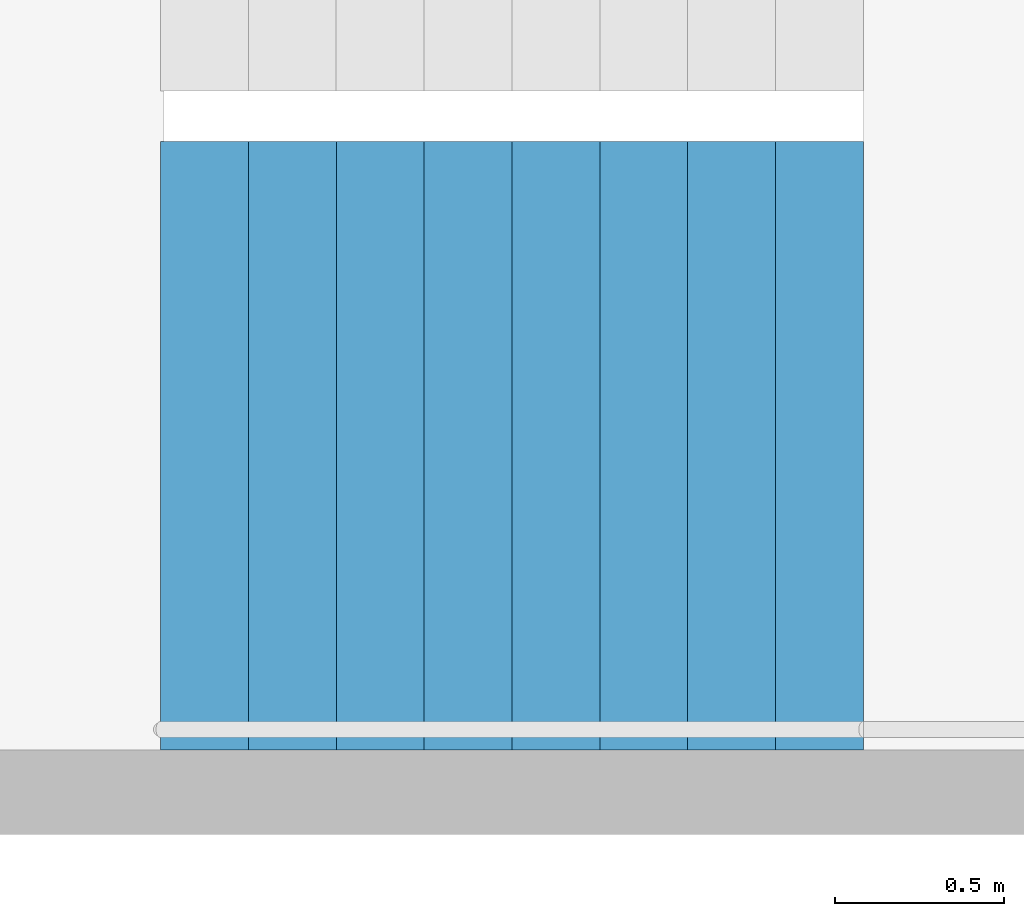
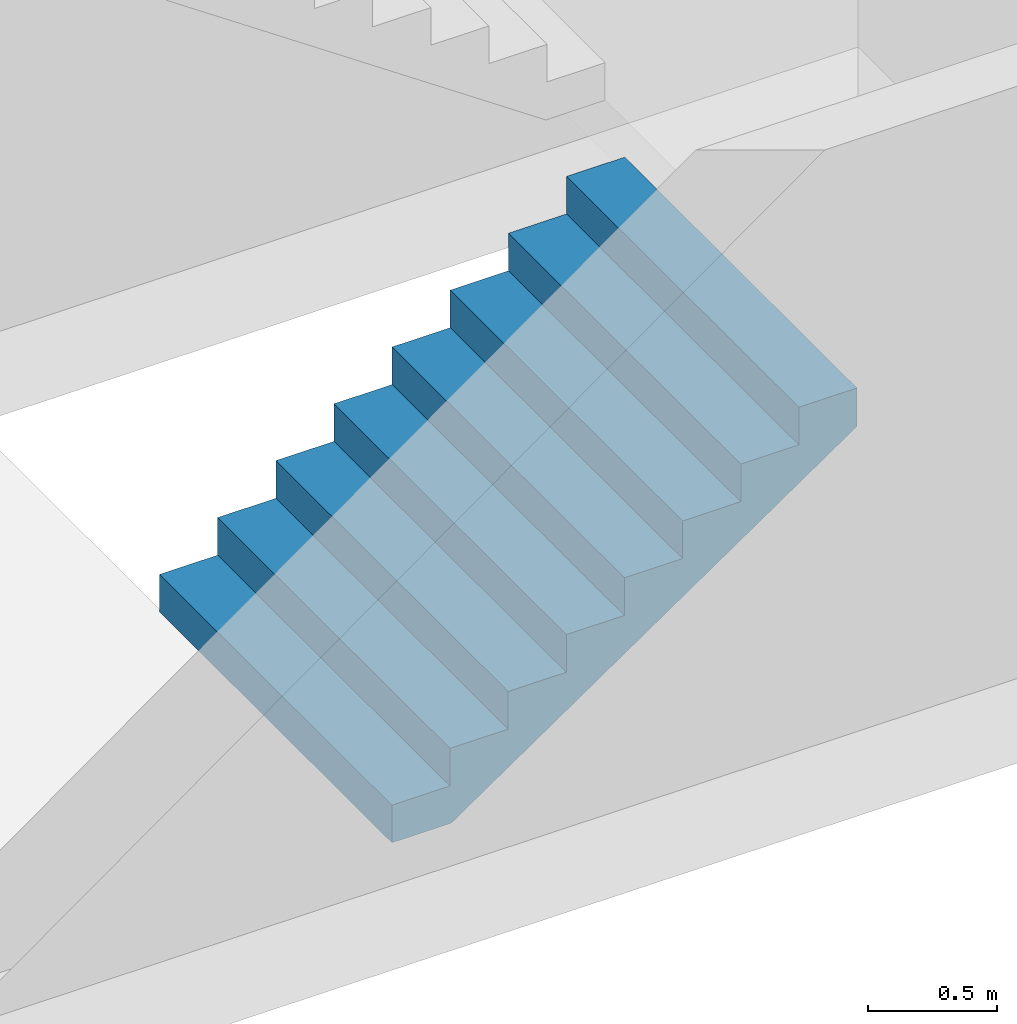
# One storey, part 22 of 35: 1 stair flight, 1 element without a shape of its own.
"""IFC4 building model written with IfcOpenShell, lengths in metres."""

from ifc_helpers import new_model, si_unit, direction, frame, origin, place, context, subcontext, project, spatial, triangles, material, type_object, element, aggregate, save


model = new_model("IFC4")

# Units and contexts
model_context = context("Model", 3, precision=1e-05, world=origin(), true_north=direction((0.0, 1.0)))
body_context = subcontext(model_context, "Body", "Model", "MODEL_VIEW")
ifc_project = project(units=[si_unit("LENGTHUNIT", "METRE"), si_unit("AREAUNIT", "SQUARE_METRE"), si_unit("VOLUMEUNIT", "CUBIC_METRE"), si_unit("PLANEANGLEUNIT", "RADIAN"), si_unit("MASSUNIT", "GRAM", prefix="KILO")], contexts=[model_context])

# Site, building, storey
site_placement = place(None, origin())
site = spatial("IfcSite", under=ifc_project, at=site_placement, CompositionType="ELEMENT")
building_placement = place(site_placement, origin())
building = spatial("IfcBuilding", under=site, at=building_placement, Name="Hakoniwa Tower and Hamabe Station Hall", CompositionType="ELEMENT")
storey_placement = place(building_placement, frame((0.0, 0.0, 51.800048828125)))
storey = spatial("IfcBuildingStorey", under=building, at=storey_placement, Name="L14", CompositionType="ELEMENT", Elevation=51.800048828125)

# Stair, stair flight
ifc_material_1 = material(Name="Concrete C40", Category="concrete")
stair_type = type_object("IfcStairType", Name="ESCAPE STAIR 1800", PredefinedType="HALF_TURN_STAIR", material=ifc_material_1)
stair_placement = place(storey_placement, origin())
stair = element("IfcStair", 1, at=stair_placement, inside=storey, type_object=stair_type, Name="Escape stair ST-1 L14", PredefinedType="HALF_TURN_STAIR")
ifc_material_2 = material(Name="Concrete C40", Category="concrete")
stair_flight_type = type_object("IfcStairFlightType", Name="STAIR FLIGHT 1800", PredefinedType="STRAIGHT", material=ifc_material_2)
stair_flight_placement = place(storey_placement, frame((-24.39990234375, 4.64990234375, 0.0), z_axis=(0.0, 0.0, 1.0), x_axis=(1.0, 0.0, 0.0)))
stair_flight = element("IfcStairFlight", 2, at=stair_flight_placement, type_object=stair_flight_type, Name="ST-1 flight 1", NumberOfRisers=9, NumberOfTreads=8, PredefinedType="STRAIGHT", RiserHeight=0.177777778, TreadLength=0.26, context=body_context, shape_type="Tessellation", body=[
    triangles([(0.0, 0.89990234375, 0.0), (0.260009765625, 0.89990234375, 0.0), (0.265625, 0.89990234375, 0.0), (0.52001953125, 0.89990234375, 0.174072265625), (0.780029296875, 0.89990234375, 0.351806640625), (1.0400390625, 0.89990234375, 0.529541015625), (1.300048828125, 0.89990234375, 0.707275390625), (1.56005859375, 0.89990234375, 0.885009765625), (1.820068359375, 0.89990234375, 1.062744140625), (2.080078125, 0.89990234375, 1.24072265625), (2.080078125, 0.89990234375, 1.422119140625), (1.820068359375, 0.89990234375, 1.422119140625), (1.820068359375, 0.89990234375, 1.244384765625), (1.56005859375, 0.89990234375, 1.244384765625), (1.56005859375, 0.89990234375, 1.066650390625), (1.300048828125, 0.89990234375, 1.066650390625), (1.300048828125, 0.89990234375, 0.888916015625), (1.0400390625, 0.89990234375, 0.888916015625), (1.0400390625, 0.89990234375, 0.711181640625), (0.780029296875, 0.89990234375, 0.711181640625), (0.780029296875, 0.89990234375, 0.533447265625), (0.52001953125, 0.89990234375, 0.533447265625), (0.52001953125, 0.89990234375, 0.35546875), (0.265625, 0.89990234375, 0.35546875), (0.260009765625, 0.89990234375, 0.35546875), (0.260009765625, 0.89990234375, 0.177734375), (0.0, 0.89990234375, 0.177734375), (0.0, 0.06005859375, 0.0), (0.260009765625, 0.06005859375, 0.0), (0.265625, 0.06005859375, 0.0), (0.52001953125, 0.06005859375, 0.174072265625), (0.780029296875, 0.06005859375, 0.351806640625), (1.0400390625, 0.06005859375, 0.529541015625), (1.300048828125, 0.06005859375, 0.707275390625), (1.56005859375, 0.06005859375, 0.885009765625), (1.820068359375, 0.06005859375, 1.062744140625), (2.080078125, 0.06005859375, 1.24072265625), (2.080078125, 0.06005859375, 1.422119140625), (1.820068359375, 0.06005859375, 1.422119140625), (1.820068359375, 0.06005859375, 1.244384765625), (1.56005859375, 0.06005859375, 1.244384765625), (1.56005859375, 0.06005859375, 1.066650390625), (1.300048828125, 0.06005859375, 1.066650390625), (1.300048828125, 0.06005859375, 0.888916015625), (1.0400390625, 0.06005859375, 0.888916015625), (1.0400390625, 0.06005859375, 0.711181640625), (0.780029296875, 0.06005859375, 0.711181640625), (0.780029296875, 0.06005859375, 0.533447265625), (0.52001953125, 0.06005859375, 0.533447265625), (0.52001953125, 0.06005859375, 0.35546875), (0.265625, 0.06005859375, 0.35546875), (0.260009765625, 0.06005859375, 0.35546875), (0.260009765625, 0.06005859375, 0.177734375), (0.0, 0.06005859375, 0.177734375), (0.0, 0.04296875, 0.0), (0.260009765625, 0.04296875, 0.0), (0.265625, 0.04296875, 0.0), (0.52001953125, 0.04296875, 0.174072265625), (0.780029296875, 0.04296875, 0.351806640625), (1.0400390625, 0.04296875, 0.529541015625), (1.300048828125, 0.04296875, 0.707275390625), (1.56005859375, 0.04296875, 0.885009765625), (1.820068359375, 0.04296875, 1.062744140625), (2.080078125, 0.04296875, 1.24072265625), (2.080078125, 0.04296875, 1.422119140625), (1.820068359375, 0.04296875, 1.422119140625), (1.820068359375, 0.04296875, 1.244384765625), (1.56005859375, 0.04296875, 1.244384765625), (1.56005859375, 0.04296875, 1.066650390625), (1.300048828125, 0.04296875, 1.066650390625), (1.300048828125, 0.04296875, 0.888916015625), (1.0400390625, 0.04296875, 0.888916015625), (1.0400390625, 0.04296875, 0.711181640625), (0.780029296875, 0.04296875, 0.711181640625), (0.780029296875, 0.04296875, 0.533447265625), (0.52001953125, 0.04296875, 0.533447265625), (0.52001953125, 0.04296875, 0.35546875), (0.265625, 0.04296875, 0.35546875), (0.260009765625, 0.04296875, 0.35546875), (0.260009765625, 0.04296875, 0.177734375), (0.0, 0.04296875, 0.177734375), (0.0, 0.025634765625, 0.0), (0.260009765625, 0.025634765625, 0.0), (0.265625, 0.025634765625, 0.0), (0.52001953125, 0.025634765625, 0.174072265625), (0.780029296875, 0.025634765625, 0.351806640625), (1.0400390625, 0.025634765625, 0.529541015625), (1.300048828125, 0.025634765625, 0.707275390625), (1.56005859375, 0.025634765625, 0.885009765625), (1.820068359375, 0.025634765625, 1.062744140625), (2.080078125, 0.025634765625, 1.24072265625), (2.080078125, 0.025634765625, 1.422119140625), (1.820068359375, 0.025634765625, 1.422119140625), (1.820068359375, 0.025634765625, 1.244384765625), (1.56005859375, 0.025634765625, 1.244384765625), (1.56005859375, 0.025634765625, 1.066650390625), (1.300048828125, 0.025634765625, 1.066650390625), (1.300048828125, 0.025634765625, 0.888916015625), (1.0400390625, 0.025634765625, 0.888916015625), (1.0400390625, 0.025634765625, 0.711181640625), (0.780029296875, 0.025634765625, 0.711181640625), (0.780029296875, 0.025634765625, 0.533447265625), (0.52001953125, 0.025634765625, 0.533447265625), (0.52001953125, 0.025634765625, 0.35546875), (0.265625, 0.025634765625, 0.35546875), (0.260009765625, 0.025634765625, 0.35546875), (0.260009765625, 0.025634765625, 0.177734375), (0.0, 0.025634765625, 0.177734375), (0.0, 0.008544921875, 0.0), (0.260009765625, 0.008544921875, 0.0), (0.265625, 0.008544921875, 0.0), (0.52001953125, 0.008544921875, 0.174072265625), (0.780029296875, 0.008544921875, 0.351806640625), (1.0400390625, 0.008544921875, 0.529541015625), (1.300048828125, 0.008544921875, 0.707275390625), (1.56005859375, 0.008544921875, 0.885009765625), (1.820068359375, 0.008544921875, 1.062744140625), (2.080078125, 0.008544921875, 1.24072265625), (2.080078125, 0.008544921875, 1.422119140625), (1.820068359375, 0.008544921875, 1.422119140625), (1.820068359375, 0.008544921875, 1.244384765625), (1.56005859375, 0.008544921875, 1.244384765625), (1.56005859375, 0.008544921875, 1.066650390625), (1.300048828125, 0.008544921875, 1.066650390625), (1.300048828125, 0.008544921875, 0.888916015625), (1.0400390625, 0.008544921875, 0.888916015625), (1.0400390625, 0.008544921875, 0.711181640625), (0.780029296875, 0.008544921875, 0.711181640625), (0.780029296875, 0.008544921875, 0.533447265625), (0.52001953125, 0.008544921875, 0.533447265625), (0.52001953125, 0.008544921875, 0.35546875), (0.265625, 0.008544921875, 0.35546875), (0.260009765625, 0.008544921875, 0.35546875), (0.260009765625, 0.008544921875, 0.177734375), (0.0, 0.008544921875, 0.177734375), (0.0, -0.008544921875, 0.0), (0.260009765625, -0.008544921875, 0.0), (0.265625, -0.008544921875, 0.0), (0.52001953125, -0.008544921875, 0.174072265625), (0.780029296875, -0.008544921875, 0.351806640625), (1.0400390625, -0.008544921875, 0.529541015625), (1.300048828125, -0.008544921875, 0.707275390625), (1.56005859375, -0.008544921875, 0.885009765625), (1.820068359375, -0.008544921875, 1.062744140625), (2.080078125, -0.008544921875, 1.24072265625), (2.080078125, -0.008544921875, 1.422119140625), (1.820068359375, -0.008544921875, 1.422119140625), (1.820068359375, -0.008544921875, 1.244384765625), (1.56005859375, -0.008544921875, 1.244384765625), (1.56005859375, -0.008544921875, 1.066650390625), (1.300048828125, -0.008544921875, 1.066650390625), (1.300048828125, -0.008544921875, 0.888916015625), (1.0400390625, -0.008544921875, 0.888916015625), (1.0400390625, -0.008544921875, 0.711181640625), (0.780029296875, -0.008544921875, 0.711181640625), (0.780029296875, -0.008544921875, 0.533447265625), (0.52001953125, -0.008544921875, 0.533447265625), (0.52001953125, -0.008544921875, 0.35546875), (0.265625, -0.008544921875, 0.35546875), (0.260009765625, -0.008544921875, 0.35546875), (0.260009765625, -0.008544921875, 0.177734375), (0.0, -0.008544921875, 0.177734375), (0.0, -0.025634765625, 0.0), (0.260009765625, -0.025634765625, 0.0), (0.265625, -0.025634765625, 0.0), (0.52001953125, -0.025634765625, 0.174072265625), (0.780029296875, -0.025634765625, 0.351806640625), (1.0400390625, -0.025634765625, 0.529541015625), (1.300048828125, -0.025634765625, 0.707275390625), (1.56005859375, -0.025634765625, 0.885009765625), (1.820068359375, -0.025634765625, 1.062744140625), (2.080078125, -0.025634765625, 1.24072265625), (2.080078125, -0.025634765625, 1.422119140625), (1.820068359375, -0.025634765625, 1.422119140625), (1.820068359375, -0.025634765625, 1.244384765625), (1.56005859375, -0.025634765625, 1.244384765625), (1.56005859375, -0.025634765625, 1.066650390625), (1.300048828125, -0.025634765625, 1.066650390625), (1.300048828125, -0.025634765625, 0.888916015625), (1.0400390625, -0.025634765625, 0.888916015625), (1.0400390625, -0.025634765625, 0.711181640625), (0.780029296875, -0.025634765625, 0.711181640625), (0.780029296875, -0.025634765625, 0.533447265625), (0.52001953125, -0.025634765625, 0.533447265625), (0.52001953125, -0.025634765625, 0.35546875), (0.265625, -0.025634765625, 0.35546875), (0.260009765625, -0.025634765625, 0.35546875), (0.260009765625, -0.025634765625, 0.177734375), (0.0, -0.025634765625, 0.177734375), (0.0, -0.04296875, 0.0), (0.260009765625, -0.04296875, 0.0), (0.265625, -0.04296875, 0.0), (0.52001953125, -0.04296875, 0.174072265625), (0.780029296875, -0.04296875, 0.351806640625), (1.0400390625, -0.04296875, 0.529541015625), (1.300048828125, -0.04296875, 0.707275390625), (1.56005859375, -0.04296875, 0.885009765625), (1.820068359375, -0.04296875, 1.062744140625), (2.080078125, -0.04296875, 1.24072265625), (2.080078125, -0.04296875, 1.422119140625), (1.820068359375, -0.04296875, 1.422119140625), (1.820068359375, -0.04296875, 1.244384765625), (1.56005859375, -0.04296875, 1.244384765625), (1.56005859375, -0.04296875, 1.066650390625), (1.300048828125, -0.04296875, 1.066650390625), (1.300048828125, -0.04296875, 0.888916015625), (1.0400390625, -0.04296875, 0.888916015625), (1.0400390625, -0.04296875, 0.711181640625), (0.780029296875, -0.04296875, 0.711181640625), (0.780029296875, -0.04296875, 0.533447265625), (0.52001953125, -0.04296875, 0.533447265625), (0.52001953125, -0.04296875, 0.35546875), (0.265625, -0.04296875, 0.35546875), (0.260009765625, -0.04296875, 0.35546875), (0.260009765625, -0.04296875, 0.177734375), (0.0, -0.04296875, 0.177734375), (0.0, -0.06005859375, 0.0), (0.260009765625, -0.06005859375, 0.0), (0.265625, -0.06005859375, 0.0), (0.52001953125, -0.06005859375, 0.174072265625), (0.780029296875, -0.06005859375, 0.351806640625), (1.0400390625, -0.06005859375, 0.529541015625), (1.300048828125, -0.06005859375, 0.707275390625), (1.56005859375, -0.06005859375, 0.885009765625), (1.820068359375, -0.06005859375, 1.062744140625), (2.080078125, -0.06005859375, 1.24072265625), (2.080078125, -0.06005859375, 1.422119140625), (1.820068359375, -0.06005859375, 1.422119140625), (1.820068359375, -0.06005859375, 1.244384765625), (1.56005859375, -0.06005859375, 1.244384765625), (1.56005859375, -0.06005859375, 1.066650390625), (1.300048828125, -0.06005859375, 1.066650390625), (1.300048828125, -0.06005859375, 0.888916015625), (1.0400390625, -0.06005859375, 0.888916015625), (1.0400390625, -0.06005859375, 0.711181640625), (0.780029296875, -0.06005859375, 0.711181640625), (0.780029296875, -0.06005859375, 0.533447265625), (0.52001953125, -0.06005859375, 0.533447265625), (0.52001953125, -0.06005859375, 0.35546875), (0.265625, -0.06005859375, 0.35546875), (0.260009765625, -0.06005859375, 0.35546875), (0.260009765625, -0.06005859375, 0.177734375), (0.0, -0.06005859375, 0.177734375), (0.0, -0.89990234375, 0.0), (0.260009765625, -0.89990234375, 0.0), (0.265625, -0.89990234375, 0.0), (0.52001953125, -0.89990234375, 0.174072265625), (0.780029296875, -0.89990234375, 0.351806640625), (1.0400390625, -0.89990234375, 0.529541015625), (1.300048828125, -0.89990234375, 0.707275390625), (1.56005859375, -0.89990234375, 0.885009765625), (1.820068359375, -0.89990234375, 1.062744140625), (2.080078125, -0.89990234375, 1.24072265625), (2.080078125, -0.89990234375, 1.422119140625), (1.820068359375, -0.89990234375, 1.422119140625), (1.820068359375, -0.89990234375, 1.244384765625), (1.56005859375, -0.89990234375, 1.244384765625), (1.56005859375, -0.89990234375, 1.066650390625), (1.300048828125, -0.89990234375, 1.066650390625), (1.300048828125, -0.89990234375, 0.888916015625), (1.0400390625, -0.89990234375, 0.888916015625), (1.0400390625, -0.89990234375, 0.711181640625), (0.780029296875, -0.89990234375, 0.711181640625), (0.780029296875, -0.89990234375, 0.533447265625), (0.52001953125, -0.89990234375, 0.533447265625), (0.52001953125, -0.89990234375, 0.35546875), (0.265625, -0.89990234375, 0.35546875), (0.260009765625, -0.89990234375, 0.35546875), (0.260009765625, -0.89990234375, 0.177734375), (0.0, -0.89990234375, 0.177734375)], [[2, 27, 26], [245, 269, 270], [2, 1, 27], [245, 270, 244], [3, 25, 24], [246, 267, 268], [3, 26, 25], [246, 268, 269], [3, 2, 26], [246, 269, 245], [4, 24, 23], [247, 266, 267], [4, 3, 24], [247, 267, 246], [5, 22, 21], [248, 264, 265], [5, 23, 22], [248, 265, 266], [5, 4, 23], [248, 266, 247], [6, 20, 19], [249, 262, 263], [6, 21, 20], [249, 263, 264], [6, 5, 21], [249, 264, 248], [7, 18, 17], [250, 260, 261], [7, 19, 18], [250, 261, 262], [7, 6, 19], [250, 262, 249], [8, 16, 15], [251, 258, 259], [8, 17, 16], [251, 259, 260], [8, 7, 17], [251, 260, 250], [9, 14, 13], [252, 256, 257], [9, 15, 14], [252, 257, 258], [9, 8, 15], [252, 258, 251], [10, 12, 11], [253, 254, 255], [10, 13, 12], [253, 255, 256], [10, 9, 13], [253, 256, 252], [1, 2, 29], [1, 29, 28], [28, 29, 56], [28, 56, 55], [55, 56, 83], [55, 83, 82], [82, 83, 110], [82, 110, 109], [109, 110, 137], [109, 137, 136], [136, 137, 164], [136, 164, 163], [163, 164, 191], [163, 191, 190], [190, 191, 218], [190, 218, 217], [217, 218, 245], [217, 245, 244], [2, 3, 30], [2, 30, 29], [29, 30, 57], [29, 57, 56], [56, 57, 84], [56, 84, 83], [83, 84, 111], [83, 111, 110], [110, 111, 138], [110, 138, 137], [137, 138, 165], [137, 165, 164], [164, 165, 192], [164, 192, 191], [191, 192, 219], [191, 219, 218], [218, 219, 246], [218, 246, 245], [3, 4, 31], [3, 31, 30], [30, 31, 58], [30, 58, 57], [57, 58, 85], [57, 85, 84], [84, 85, 112], [84, 112, 111], [111, 112, 139], [111, 139, 138], [138, 139, 166], [138, 166, 165], [165, 166, 193], [165, 193, 192], [192, 193, 220], [192, 220, 219], [219, 220, 247], [219, 247, 246], [4, 5, 32], [4, 32, 31], [31, 32, 59], [31, 59, 58], [58, 59, 86], [58, 86, 85], [85, 86, 113], [85, 113, 112], [112, 113, 140], [112, 140, 139], [139, 140, 167], [139, 167, 166], [166, 167, 194], [166, 194, 193], [193, 194, 221], [193, 221, 220], [220, 221, 248], [220, 248, 247], [5, 6, 33], [5, 33, 32], [32, 33, 60], [32, 60, 59], [59, 60, 87], [59, 87, 86], [86, 87, 114], [86, 114, 113], [113, 114, 141], [113, 141, 140], [140, 141, 168], [140, 168, 167], [167, 168, 195], [167, 195, 194], [194, 195, 222], [194, 222, 221], [221, 222, 249], [221, 249, 248], [6, 7, 34], [6, 34, 33], [33, 34, 61], [33, 61, 60], [60, 61, 88], [60, 88, 87], [87, 88, 115], [87, 115, 114], [114, 115, 142], [114, 142, 141], [141, 142, 169], [141, 169, 168], [168, 169, 196], [168, 196, 195], [195, 196, 223], [195, 223, 222], [222, 223, 250], [222, 250, 249], [7, 8, 35], [7, 35, 34], [34, 35, 62], [34, 62, 61], [61, 62, 89], [61, 89, 88], [88, 89, 116], [88, 116, 115], [115, 116, 143], [115, 143, 142], [142, 143, 170], [142, 170, 169], [169, 170, 197], [169, 197, 196], [196, 197, 224], [196, 224, 223], [223, 224, 251], [223, 251, 250], [8, 9, 36], [8, 36, 35], [35, 36, 63], [35, 63, 62], [62, 63, 90], [62, 90, 89], [89, 90, 117], [89, 117, 116], [116, 117, 144], [116, 144, 143], [143, 144, 171], [143, 171, 170], [170, 171, 198], [170, 198, 197], [197, 198, 225], [197, 225, 224], [224, 225, 252], [224, 252, 251], [9, 10, 37], [9, 37, 36], [36, 37, 64], [36, 64, 63], [63, 64, 91], [63, 91, 90], [90, 91, 118], [90, 118, 117], [117, 118, 145], [117, 145, 144], [144, 145, 172], [144, 172, 171], [171, 172, 199], [171, 199, 198], [198, 199, 226], [198, 226, 225], [225, 226, 253], [225, 253, 252], [10, 11, 38], [10, 38, 37], [37, 38, 65], [37, 65, 64], [64, 65, 92], [64, 92, 91], [91, 92, 119], [91, 119, 118], [118, 119, 146], [118, 146, 145], [145, 146, 173], [145, 173, 172], [172, 173, 200], [172, 200, 199], [199, 200, 227], [199, 227, 226], [226, 227, 254], [226, 254, 253], [11, 12, 39], [11, 39, 38], [38, 39, 66], [38, 66, 65], [65, 66, 93], [65, 93, 92], [92, 93, 120], [92, 120, 119], [119, 120, 147], [119, 147, 146], [146, 147, 174], [146, 174, 173], [173, 174, 201], [173, 201, 200], [200, 201, 228], [200, 228, 227], [227, 228, 255], [227, 255, 254], [12, 13, 40], [12, 40, 39], [39, 40, 67], [39, 67, 66], [66, 67, 94], [66, 94, 93], [93, 94, 121], [93, 121, 120], [120, 121, 148], [120, 148, 147], [147, 148, 175], [147, 175, 174], [174, 175, 202], [174, 202, 201], [201, 202, 229], [201, 229, 228], [228, 229, 256], [228, 256, 255], [13, 14, 41], [13, 41, 40], [40, 41, 68], [40, 68, 67], [67, 68, 95], [67, 95, 94], [94, 95, 122], [94, 122, 121], [121, 122, 149], [121, 149, 148], [148, 149, 176], [148, 176, 175], [175, 176, 203], [175, 203, 202], [202, 203, 230], [202, 230, 229], [229, 230, 257], [229, 257, 256], [14, 15, 42], [14, 42, 41], [41, 42, 69], [41, 69, 68], [68, 69, 96], [68, 96, 95], [95, 96, 123], [95, 123, 122], [122, 123, 150], [122, 150, 149], [149, 150, 177], [149, 177, 176], [176, 177, 204], [176, 204, 203], [203, 204, 231], [203, 231, 230], [230, 231, 258], [230, 258, 257], [15, 16, 43], [15, 43, 42], [42, 43, 70], [42, 70, 69], [69, 70, 97], [69, 97, 96], [96, 97, 124], [96, 124, 123], [123, 124, 151], [123, 151, 150], [150, 151, 178], [150, 178, 177], [177, 178, 205], [177, 205, 204], [204, 205, 232], [204, 232, 231], [231, 232, 259], [231, 259, 258], [16, 17, 44], [16, 44, 43], [43, 44, 71], [43, 71, 70], [70, 71, 98], [70, 98, 97], [97, 98, 125], [97, 125, 124], [124, 125, 152], [124, 152, 151], [151, 152, 179], [151, 179, 178], [178, 179, 206], [178, 206, 205], [205, 206, 233], [205, 233, 232], [232, 233, 260], [232, 260, 259], [17, 18, 45], [17, 45, 44], [44, 45, 72], [44, 72, 71], [71, 72, 99], [71, 99, 98], [98, 99, 126], [98, 126, 125], [125, 126, 153], [125, 153, 152], [152, 153, 180], [152, 180, 179], [179, 180, 207], [179, 207, 206], [206, 207, 234], [206, 234, 233], [233, 234, 261], [233, 261, 260], [18, 19, 46], [18, 46, 45], [45, 46, 73], [45, 73, 72], [72, 73, 100], [72, 100, 99], [99, 100, 127], [99, 127, 126], [126, 127, 154], [126, 154, 153], [153, 154, 181], [153, 181, 180], [180, 181, 208], [180, 208, 207], [207, 208, 235], [207, 235, 234], [234, 235, 262], [234, 262, 261], [19, 20, 47], [19, 47, 46], [46, 47, 74], [46, 74, 73], [73, 74, 101], [73, 101, 100], [100, 101, 128], [100, 128, 127], [127, 128, 155], [127, 155, 154], [154, 155, 182], [154, 182, 181], [181, 182, 209], [181, 209, 208], [208, 209, 236], [208, 236, 235], [235, 236, 263], [235, 263, 262], [20, 21, 48], [20, 48, 47], [47, 48, 75], [47, 75, 74], [74, 75, 102], [74, 102, 101], [101, 102, 129], [101, 129, 128], [128, 129, 156], [128, 156, 155], [155, 156, 183], [155, 183, 182], [182, 183, 210], [182, 210, 209], [209, 210, 237], [209, 237, 236], [236, 237, 264], [236, 264, 263], [21, 22, 49], [21, 49, 48], [48, 49, 76], [48, 76, 75], [75, 76, 103], [75, 103, 102], [102, 103, 130], [102, 130, 129], [129, 130, 157], [129, 157, 156], [156, 157, 184], [156, 184, 183], [183, 184, 211], [183, 211, 210], [210, 211, 238], [210, 238, 237], [237, 238, 265], [237, 265, 264], [22, 23, 50], [22, 50, 49], [49, 50, 77], [49, 77, 76], [76, 77, 104], [76, 104, 103], [103, 104, 131], [103, 131, 130], [130, 131, 158], [130, 158, 157], [157, 158, 185], [157, 185, 184], [184, 185, 212], [184, 212, 211], [211, 212, 239], [211, 239, 238], [238, 239, 266], [238, 266, 265], [23, 24, 51], [23, 51, 50], [50, 51, 78], [50, 78, 77], [77, 78, 105], [77, 105, 104], [104, 105, 132], [104, 132, 131], [131, 132, 159], [131, 159, 158], [158, 159, 186], [158, 186, 185], [185, 186, 213], [185, 213, 212], [212, 213, 240], [212, 240, 239], [239, 240, 267], [239, 267, 266], [24, 25, 52], [24, 52, 51], [51, 52, 79], [51, 79, 78], [78, 79, 106], [78, 106, 105], [105, 106, 133], [105, 133, 132], [132, 133, 160], [132, 160, 159], [159, 160, 187], [159, 187, 186], [186, 187, 214], [186, 214, 213], [213, 214, 241], [213, 241, 240], [240, 241, 268], [240, 268, 267], [25, 26, 53], [25, 53, 52], [52, 53, 80], [52, 80, 79], [79, 80, 107], [79, 107, 106], [106, 107, 134], [106, 134, 133], [133, 134, 161], [133, 161, 160], [160, 161, 188], [160, 188, 187], [187, 188, 215], [187, 215, 214], [214, 215, 242], [214, 242, 241], [241, 242, 269], [241, 269, 268], [26, 27, 54], [26, 54, 53], [53, 54, 81], [53, 81, 80], [80, 81, 108], [80, 108, 107], [107, 108, 135], [107, 135, 134], [134, 135, 162], [134, 162, 161], [161, 162, 189], [161, 189, 188], [188, 189, 216], [188, 216, 215], [215, 216, 243], [215, 243, 242], [242, 243, 270], [242, 270, 269], [27, 1, 28], [27, 28, 54], [54, 28, 55], [54, 55, 81], [81, 55, 82], [81, 82, 108], [108, 82, 109], [108, 109, 135], [135, 109, 136], [135, 136, 162], [162, 136, 163], [162, 163, 189], [189, 163, 190], [189, 190, 216], [216, 190, 217], [216, 217, 243], [243, 217, 244], [243, 244, 270]], closed=True),
])
aggregate(stair, [stair_flight])

save(model, "model.ifc")
